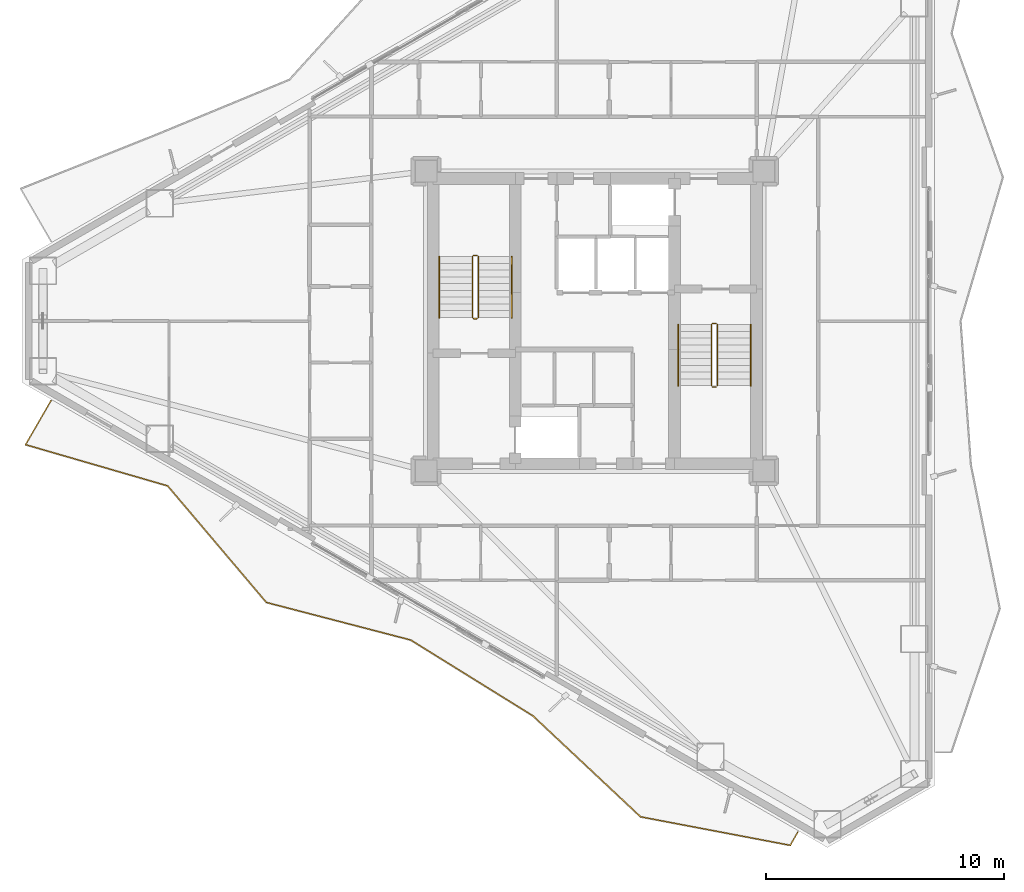
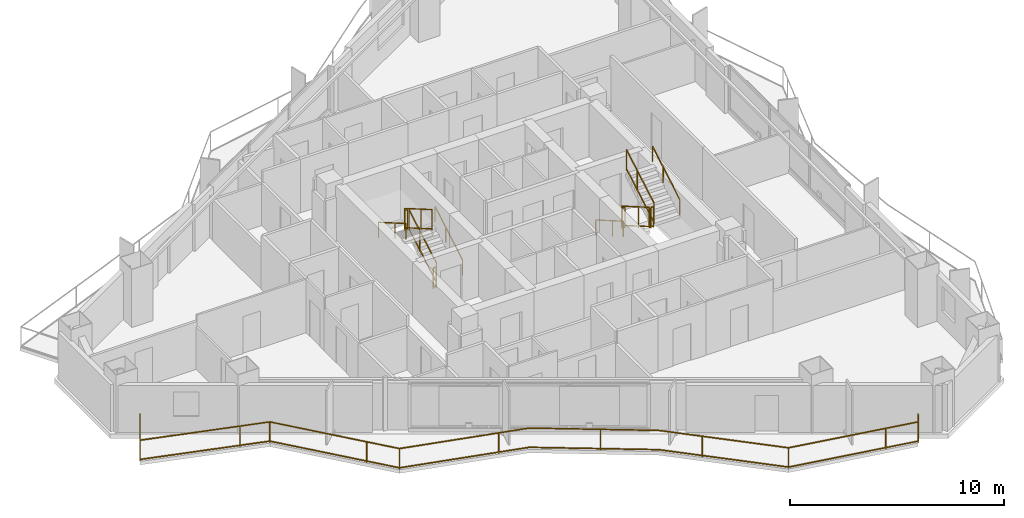
# One storey, part 22 of 23: 13 railings.
"""IFC4 building model written with IfcOpenShell, lengths in metres."""

from ifc_helpers import new_model, si_unit, direction, frame, origin, origin_2d, place, context, subcontext, project, spatial, rectangle, extrude, material, type_object, element, save


model = new_model("IFC4")

# Units and contexts
model_context = context("Model", 3, precision=1e-05, world=origin(), true_north=direction((0.0, 1.0)))
body_context = subcontext(model_context, "Body", "Model", "MODEL_VIEW")
ifc_project = project(units=[si_unit("LENGTHUNIT", "METRE"), si_unit("AREAUNIT", "SQUARE_METRE"), si_unit("VOLUMEUNIT", "CUBIC_METRE"), si_unit("PLANEANGLEUNIT", "RADIAN"), si_unit("MASSUNIT", "GRAM", prefix="KILO")], contexts=[model_context])

# Site, building, storey
site_placement = place(None, origin())
site = spatial("IfcSite", under=ifc_project, at=site_placement, CompositionType="ELEMENT")
building_placement = place(site_placement, origin())
building = spatial("IfcBuilding", under=site, at=building_placement, Name="Mersakhor Tower and Convention Hall", CompositionType="ELEMENT")
storey_placement = place(building_placement, frame((0.0, 0.0, 93.300048828125)))
storey = spatial("IfcBuildingStorey", under=building, at=storey_placement, Name="L25", CompositionType="ELEMENT", Elevation=93.300048828125)

# Railings
ifc_material_1 = material(Name="Powder-coated galvanised steel and laminated glass balustrade", Category="steel")
railing_type_1 = type_object("IfcRailingType", Name="RL-BAL-1200", PredefinedType="BALUSTRADE", material=ifc_material_1)
railing_1_placement = place(storey_placement, frame((6.1240234375, 23.4052734375, 0.0)))
element("IfcRailing", 1, at=railing_1_placement, inside=storey, type_object=railing_type_1, Name="L25 Sinusoidal Balcony Balustrade F3", PredefinedType="BALUSTRADE", context=body_context, shape_type="SweptSolid", body=[
    extrude(rectangle(XDim=0.048095703125, YDim=0.048095703125, at=origin_2d()), frame((0.0, 0.0, 1.17578125), z_axis=(-0.499933284817, -0.866063918387, 0.0), x_axis=(0.866063918387, -0.499933284817, 0.0)), (0.0, 0.0, 1.0), 2.138427734375),
    extrude(rectangle(XDim=0.048095703125, YDim=0.048095703125, at=origin_2d()), frame((0.0, 0.0, 0.080078125), z_axis=(-0.499933284817, -0.866063918387, 0.0), x_axis=(0.866063918387, -0.499933284817, 0.0)), (0.0, 0.0, 1.0), 2.138427734375),
    extrude(rectangle(XDim=0.048095703125, YDim=0.048095703125, at=origin_2d()), frame((-1.069091796875, -1.85205078125, 1.17578125), z_axis=(0.960437948423, -0.278494070365, 0.0), x_axis=(0.278494070365, 0.960437948423, 0.0)), (0.0, 0.0, 1.0), 6.226806640625),
    extrude(rectangle(XDim=0.048095703125, YDim=0.048095703125, at=origin_2d()), frame((-1.069091796875, -1.85205078125, 0.080078125), z_axis=(0.960437948423, -0.278494070365, 0.0), x_axis=(0.278494070365, 0.960437948423, 0.0)), (0.0, 0.0, 1.0), 6.226806640625),
    extrude(rectangle(XDim=0.048095703125, YDim=0.048095703125, at=origin_2d()), frame((4.911376953125, -3.586181640625, 1.17578125), z_axis=(0.646213090612, -0.763157022848, 0.0), x_axis=(0.763157022848, 0.646213090612, 0.0)), (0.0, 0.0, 1.0), 6.423828125),
    extrude(rectangle(XDim=0.048095703125, YDim=0.048095703125, at=origin_2d()), frame((4.911376953125, -3.586181640625, 0.080078125), z_axis=(0.646213090612, -0.763157022848, 0.0), x_axis=(0.763157022848, 0.646213090612, 0.0)), (0.0, 0.0, 1.0), 6.423828125),
    extrude(rectangle(XDim=0.048095703125, YDim=0.048095703125, at=origin_2d()), frame((9.0625, -8.488525390625, 1.17578125), z_axis=(0.96777376013, -0.251821264401, 0.0), x_axis=(0.251821264401, 0.96777376013, 0.0)), (0.0, 0.0, 1.0), 6.271728515625),
    extrude(rectangle(XDim=0.048095703125, YDim=0.048095703125, at=origin_2d()), frame((9.0625, -8.488525390625, 0.080078125), z_axis=(0.96777376013, -0.251821264401, 0.0), x_axis=(0.251821264401, 0.96777376013, 0.0)), (0.0, 0.0, 1.0), 6.271728515625),
    extrude(rectangle(XDim=0.048095703125, YDim=0.048095703125, at=origin_2d()), frame((15.132080078125, -10.06787109375, 1.17578125), z_axis=(0.849741790713, -0.527199098175, 0.0), x_axis=(0.527199098175, 0.849741790713, 0.0)), (0.0, 0.0, 1.0), 6.04931640625),
    extrude(rectangle(XDim=0.048095703125, YDim=0.048095703125, at=origin_2d()), frame((15.132080078125, -10.06787109375, 0.080078125), z_axis=(0.849741790713, -0.527199098175, 0.0), x_axis=(0.527199098175, 0.849741790713, 0.0)), (0.0, 0.0, 1.0), 6.04931640625),
    extrude(rectangle(XDim=0.048095703125, YDim=0.048095703125, at=origin_2d()), frame((20.2724609375, -13.257080078125, 1.17578125), z_axis=(0.729409676745, -0.684077132691, 0.0), x_axis=(0.684077132691, 0.729409676745, 0.0)), (0.0, 0.0, 1.0), 6.20947265625),
    extrude(rectangle(XDim=0.048095703125, YDim=0.048095703125, at=origin_2d()), frame((20.2724609375, -13.257080078125, 0.080078125), z_axis=(0.729409676745, -0.684077132691, 0.0), x_axis=(0.684077132691, 0.729409676745, 0.0)), (0.0, 0.0, 1.0), 6.20947265625),
    extrude(rectangle(XDim=0.048095703125, YDim=0.048095703125, at=origin_2d()), frame((24.8017578125, -17.5048828125, 1.17578125), z_axis=(0.982379256421, -0.186898358883, 0.0), x_axis=(0.186898358883, 0.982379256421, 0.0)), (0.0, 0.0, 1.0), 6.4033203125),
    extrude(rectangle(XDim=0.048095703125, YDim=0.048095703125, at=origin_2d()), frame((24.8017578125, -17.5048828125, 0.080078125), z_axis=(0.982379256421, -0.186898358883, 0.0), x_axis=(0.186898358883, 0.982379256421, 0.0)), (0.0, 0.0, 1.0), 6.4033203125),
    extrude(rectangle(XDim=0.048095703125, YDim=0.048095703125, at=origin_2d()), frame((31.09228515625, -18.70166015625, 1.17578125), z_axis=(0.49989585183, 0.866085525409, 0.0), x_axis=(-0.866085525409, 0.49989585183, 0.0)), (0.0, 0.0, 1.0), 0.650146484375),
    extrude(rectangle(XDim=0.048095703125, YDim=0.048095703125, at=origin_2d()), frame((31.09228515625, -18.70166015625, 0.080078125), z_axis=(0.49989585183, 0.866085525409, 0.0), x_axis=(-0.866085525409, 0.49989585183, 0.0)), (0.0, 0.0, 1.0), 0.650146484375),
    extrude(rectangle(XDim=0.0419921875, YDim=0.0419921875, at=origin_2d()), origin(), (0.0, 0.0, 1.0), 1.15185546875),
    extrude(rectangle(XDim=0.0419921875, YDim=0.0419921875, at=origin_2d()), frame((-1.069091796875, -1.85205078125, 0.0)), (0.0, 0.0, 1.0), 1.15185546875),
    extrude(rectangle(XDim=0.0419921875, YDim=0.0419921875, at=origin_2d()), frame((3.541015625, -3.188720703125, 0.0)), (0.0, 0.0, 1.0), 1.15185546875),
    extrude(rectangle(XDim=0.0419921875, YDim=0.0419921875, at=origin_2d()), frame((4.911376953125, -3.586181640625, 0.0)), (0.0, 0.0, 1.0), 1.15185546875),
    extrude(rectangle(XDim=0.0419921875, YDim=0.0419921875, at=origin_2d()), frame((8.01318359375, -7.249267578125, 0.0)), (0.0, 0.0, 1.0), 1.15185546875),
    extrude(rectangle(XDim=0.0419921875, YDim=0.0419921875, at=origin_2d()), frame((9.0625, -8.488525390625, 0.0)), (0.0, 0.0, 1.0), 1.15185546875),
    extrude(rectangle(XDim=0.0419921875, YDim=0.0419921875, at=origin_2d()), frame((13.707763671875, -9.697265625, 0.0)), (0.0, 0.0, 1.0), 1.15185546875),
    extrude(rectangle(XDim=0.0419921875, YDim=0.0419921875, at=origin_2d()), frame((17.960205078125, -11.822509765625, 0.0)), (0.0, 0.0, 1.0), 1.15185546875),
    extrude(rectangle(XDim=0.0419921875, YDim=0.0419921875, at=origin_2d()), frame((21.788818359375, -14.67919921875, 0.0)), (0.0, 0.0, 1.0), 1.15185546875),
    extrude(rectangle(XDim=0.0419921875, YDim=0.0419921875, at=origin_2d()), frame((24.8017578125, -17.5048828125, 0.0)), (0.0, 0.0, 1.0), 1.15185546875),
    extrude(rectangle(XDim=0.0419921875, YDim=0.0419921875, at=origin_2d()), frame((29.51708984375, -18.402099609375, 0.0)), (0.0, 0.0, 1.0), 1.15185546875),
    extrude(rectangle(XDim=0.0419921875, YDim=0.0419921875, at=origin_2d()), frame((31.09228515625, -18.70166015625, 0.0)), (0.0, 0.0, 1.0), 1.15185546875),
    extrude(rectangle(XDim=0.0419921875, YDim=0.0419921875, at=origin_2d()), frame((31.417236328125, -18.138671875, 0.0)), (0.0, 0.0, 1.0), 1.15185546875),
])
ifc_material_2 = material(Name="Brushed stainless steel handrail", Category="steel")
railing_type_2 = type_object("IfcRailingType", Name="RL-HR-900", PredefinedType="HANDRAIL", material=ifc_material_2)
railing_2_placement = place(storey_placement, frame((25.5, 26.89990234375, 0.1650390625)))
element("IfcRailing", 2, at=railing_2_placement, inside=storey, type_object=railing_type_2, Name="L25 ST-1 stair handrail 1", PredefinedType="HANDRAIL", context=body_context, shape_type="SweptSolid", body=[
    extrude(rectangle(XDim=0.048095703125, YDim=0.048095703125, at=origin_2d()), frame((0.0, 0.0, 0.8759765625), z_axis=(0.0, 0.865461999751, 0.500974577186), x_axis=(-1.0, 0.0, 0.0)), (0.0, 0.0, 1.0), 2.9638671875),
    extrude(rectangle(XDim=0.0419921875, YDim=0.0419921875, at=origin_2d()), origin(), (0.0, 0.0, 1.0), 0.851806640625),
    extrude(rectangle(XDim=0.0419921875, YDim=0.0419921875, at=origin_2d()), frame((0.0, 1.557861328125, 0.90185546875)), (0.0, 0.0, 1.0), 0.851806640625),
    extrude(rectangle(XDim=0.0419921875, YDim=0.0419921875, at=origin_2d()), frame((0.0, 2.565185546875, 1.48486328125)), (0.0, 0.0, 1.0), 0.851806640625),
])
railing_3_placement = place(storey_placement, frame((22.449951171875, 29.465087890625, 1.81494140625)))
element("IfcRailing", 3, at=railing_3_placement, inside=storey, type_object=railing_type_2, Name="L25 ST-1 stair handrail 2", PredefinedType="HANDRAIL", context=body_context, shape_type="SweptSolid", body=[
    extrude(rectangle(XDim=0.048095703125, YDim=0.048095703125, at=origin_2d()), frame((0.0, 0.0, 0.8759765625), z_axis=(0.0, -0.865426285481, 0.501036270542), x_axis=(1.0, 0.0, 0.0)), (0.0, 0.0, 1.0), 2.964111328125),
    extrude(rectangle(XDim=0.0419921875, YDim=0.0419921875, at=origin_2d()), origin(), (0.0, 0.0, 1.0), 0.851806640625),
    extrude(rectangle(XDim=0.0419921875, YDim=0.0419921875, at=origin_2d()), frame((0.0, -1.557861328125, 0.90185546875)), (0.0, 0.0, 1.0), 0.851806640625),
    extrude(rectangle(XDim=0.0419921875, YDim=0.0419921875, at=origin_2d()), frame((0.0, -2.565185546875, 1.485107421875)), (0.0, 0.0, 1.0), 0.851806640625),
])
railing_4_placement = place(storey_placement, frame((32.5, 26.60009765625, 0.1650390625)))
element("IfcRailing", 4, at=railing_4_placement, inside=storey, type_object=railing_type_2, Name="L25 ST-2 stair handrail 1", PredefinedType="HANDRAIL", context=body_context, shape_type="SweptSolid", body=[
    extrude(rectangle(XDim=0.048095703125, YDim=0.048095703125, at=origin_2d()), frame((0.0, 0.0, 0.8759765625), z_axis=(0.0, -0.865461999751, 0.500974577186), x_axis=(1.0, 0.0, 0.0)), (0.0, 0.0, 1.0), 2.9638671875),
    extrude(rectangle(XDim=0.0419921875, YDim=0.0419921875, at=origin_2d()), origin(), (0.0, 0.0, 1.0), 0.851806640625),
    extrude(rectangle(XDim=0.0419921875, YDim=0.0419921875, at=origin_2d()), frame((0.0, -1.557861328125, 0.90185546875)), (0.0, 0.0, 1.0), 0.851806640625),
    extrude(rectangle(XDim=0.0419921875, YDim=0.0419921875, at=origin_2d()), frame((0.0, -2.565185546875, 1.48486328125)), (0.0, 0.0, 1.0), 0.851806640625),
])
railing_5_placement = place(storey_placement, frame((35.550048828125, 24.034912109375, 1.81494140625)))
element("IfcRailing", 5, at=railing_5_placement, inside=storey, type_object=railing_type_2, Name="L25 ST-2 stair handrail 2", PredefinedType="HANDRAIL", context=body_context, shape_type="SweptSolid", body=[
    extrude(rectangle(XDim=0.048095703125, YDim=0.048095703125, at=origin_2d()), frame((0.0, 0.0, 0.8759765625), z_axis=(0.0, 0.865426285481, 0.501036270542), x_axis=(-1.0, 0.0, 0.0)), (0.0, 0.0, 1.0), 2.964111328125),
    extrude(rectangle(XDim=0.0419921875, YDim=0.0419921875, at=origin_2d()), origin(), (0.0, 0.0, 1.0), 0.851806640625),
    extrude(rectangle(XDim=0.0419921875, YDim=0.0419921875, at=origin_2d()), frame((0.0, 1.557861328125, 0.90185546875)), (0.0, 0.0, 1.0), 0.851806640625),
    extrude(rectangle(XDim=0.0419921875, YDim=0.0419921875, at=origin_2d()), frame((0.0, 2.565185546875, 1.485107421875)), (0.0, 0.0, 1.0), 0.851806640625),
])
ifc_material_3 = material(Name="Painted steel stair balustrade S355", Category="steel")
railing_type_3 = type_object("IfcRailingType", Name="RL-STG-1200", PredefinedType="BALUSTRADE", material=ifc_material_3)
railing_6_placement = place(storey_placement, frame((24.10009765625, 26.89990234375, 0.1650390625)))
element("IfcRailing", 6, at=railing_6_placement, inside=storey, type_object=railing_type_3, Name="L25 ST-1 stair guard 1", PredefinedType="BALUSTRADE", context=body_context, shape_type="SweptSolid", body=[
    extrude(rectangle(XDim=0.048095703125, YDim=0.048095703125, at=origin_2d()), frame((0.0, 0.0, 1.17578125), z_axis=(0.0, 0.865461999751, 0.500974577186), x_axis=(-1.0, 0.0, 0.0)), (0.0, 0.0, 1.0), 2.9638671875),
    extrude(rectangle(XDim=0.048095703125, YDim=0.048095703125, at=origin_2d()), frame((0.0, 0.0, 0.080078125), z_axis=(0.0, 0.865461999751, 0.500974577186), x_axis=(-1.0, 0.0, 0.0)), (0.0, 0.0, 1.0), 2.9638671875),
    extrude(rectangle(XDim=0.0419921875, YDim=0.0419921875, at=origin_2d()), origin(), (0.0, 0.0, 1.0), 1.15185546875),
    extrude(rectangle(XDim=0.0419921875, YDim=0.0419921875, at=origin_2d()), frame((0.0, 1.557861328125, 0.90185546875)), (0.0, 0.0, 1.0), 1.15185546875),
    extrude(rectangle(XDim=0.0419921875, YDim=0.0419921875, at=origin_2d()), frame((0.0, 2.565185546875, 1.48486328125)), (0.0, 0.0, 1.0), 1.15185546875),
])
railing_7_placement = place(storey_placement, frame((24.050048828125, 29.514892578125, 1.64990234375)))
element("IfcRailing", 7, at=railing_7_placement, inside=storey, type_object=railing_type_3, Name="L25 ST-1 stair guard 2", PredefinedType="BALUSTRADE", context=body_context, shape_type="SweptSolid", body=[
    extrude(rectangle(XDim=0.048095703125, YDim=0.048095703125, at=origin_2d()), frame((0.0, 0.0, 1.17578125), z_axis=(-1.0, 0.0, 0.0), x_axis=(0.0, -1.0, 0.0)), (0.0, 0.0, 1.0), 0.150146484375),
    extrude(rectangle(XDim=0.048095703125, YDim=0.048095703125, at=origin_2d()), frame((0.0, 0.0, 0.080078125), z_axis=(-1.0, 0.0, 0.0), x_axis=(0.0, -1.0, 0.0)), (0.0, 0.0, 1.0), 0.150146484375),
    extrude(rectangle(XDim=0.0419921875, YDim=0.0419921875, at=origin_2d()), origin(), (0.0, 0.0, 1.0), 1.15185546875),
    extrude(rectangle(XDim=0.0419921875, YDim=0.0419921875, at=origin_2d()), frame((-0.150146484375, 0.0, 0.0)), (0.0, 0.0, 1.0), 1.15185546875),
])
railing_8_placement = place(storey_placement, frame((23.85009765625, 29.465087890625, 1.81494140625)))
element("IfcRailing", 8, at=railing_8_placement, inside=storey, type_object=railing_type_3, Name="L25 ST-1 stair guard 3", PredefinedType="BALUSTRADE", context=body_context, shape_type="SweptSolid", body=[
    extrude(rectangle(XDim=0.048095703125, YDim=0.048095703125, at=origin_2d()), frame((0.0, 0.0, 1.17578125), z_axis=(0.0, -0.865426285481, 0.501036270542), x_axis=(1.0, 0.0, 0.0)), (0.0, 0.0, 1.0), 2.964111328125),
    extrude(rectangle(XDim=0.048095703125, YDim=0.048095703125, at=origin_2d()), frame((0.0, 0.0, 0.080078125), z_axis=(0.0, -0.865426285481, 0.501036270542), x_axis=(1.0, 0.0, 0.0)), (0.0, 0.0, 1.0), 2.964111328125),
    extrude(rectangle(XDim=0.0419921875, YDim=0.0419921875, at=origin_2d()), origin(), (0.0, 0.0, 1.0), 1.15185546875),
    extrude(rectangle(XDim=0.0419921875, YDim=0.0419921875, at=origin_2d()), frame((0.0, -1.557861328125, 0.90185546875)), (0.0, 0.0, 1.0), 1.15185546875),
    extrude(rectangle(XDim=0.0419921875, YDim=0.0419921875, at=origin_2d()), frame((0.0, -2.565185546875, 1.485107421875)), (0.0, 0.0, 1.0), 1.15185546875),
])
railing_9_placement = place(storey_placement, frame((24.050048828125, 26.85009765625, 0.0)))
element("IfcRailing", 9, at=railing_9_placement, inside=storey, type_object=railing_type_3, Name="L25 ST-1 stair guard 4", PredefinedType="BALUSTRADE", context=body_context, shape_type="SweptSolid", body=[
    extrude(rectangle(XDim=0.048095703125, YDim=0.048095703125, at=origin_2d()), frame((0.0, 0.0, 1.17578125), z_axis=(-1.0, 0.0, 0.0), x_axis=(0.0, -1.0, 0.0)), (0.0, 0.0, 1.0), 0.150146484375),
    extrude(rectangle(XDim=0.048095703125, YDim=0.048095703125, at=origin_2d()), frame((0.0, 0.0, 0.080078125), z_axis=(-1.0, 0.0, 0.0), x_axis=(0.0, -1.0, 0.0)), (0.0, 0.0, 1.0), 0.150146484375),
    extrude(rectangle(XDim=0.0419921875, YDim=0.0419921875, at=origin_2d()), origin(), (0.0, 0.0, 1.0), 1.15185546875),
    extrude(rectangle(XDim=0.0419921875, YDim=0.0419921875, at=origin_2d()), frame((-0.150146484375, 0.0, 0.0)), (0.0, 0.0, 1.0), 1.15185546875),
])
railing_10_placement = place(storey_placement, frame((33.89990234375, 26.60009765625, 0.1650390625)))
element("IfcRailing", 10, at=railing_10_placement, inside=storey, type_object=railing_type_3, Name="L25 ST-2 stair guard 1", PredefinedType="BALUSTRADE", context=body_context, shape_type="SweptSolid", body=[
    extrude(rectangle(XDim=0.048095703125, YDim=0.048095703125, at=origin_2d()), frame((0.0, 0.0, 1.17578125), z_axis=(0.0, -0.865461999751, 0.500974577186), x_axis=(1.0, 0.0, 0.0)), (0.0, 0.0, 1.0), 2.9638671875),
    extrude(rectangle(XDim=0.048095703125, YDim=0.048095703125, at=origin_2d()), frame((0.0, 0.0, 0.080078125), z_axis=(0.0, -0.865461999751, 0.500974577186), x_axis=(1.0, 0.0, 0.0)), (0.0, 0.0, 1.0), 2.9638671875),
    extrude(rectangle(XDim=0.0419921875, YDim=0.0419921875, at=origin_2d()), origin(), (0.0, 0.0, 1.0), 1.15185546875),
    extrude(rectangle(XDim=0.0419921875, YDim=0.0419921875, at=origin_2d()), frame((0.0, -1.557861328125, 0.90185546875)), (0.0, 0.0, 1.0), 1.15185546875),
    extrude(rectangle(XDim=0.0419921875, YDim=0.0419921875, at=origin_2d()), frame((0.0, -2.565185546875, 1.48486328125)), (0.0, 0.0, 1.0), 1.15185546875),
])
railing_11_placement = place(storey_placement, frame((33.949951171875, 23.985107421875, 1.64990234375)))
element("IfcRailing", 11, at=railing_11_placement, inside=storey, type_object=railing_type_3, Name="L25 ST-2 stair guard 2", PredefinedType="BALUSTRADE", context=body_context, shape_type="SweptSolid", body=[
    extrude(rectangle(XDim=0.048095703125, YDim=0.048095703125, at=origin_2d()), frame((0.0, 0.0, 1.17578125), z_axis=(1.0, 0.0, 0.0), x_axis=(0.0, 1.0, 0.0)), (0.0, 0.0, 1.0), 0.150146484375),
    extrude(rectangle(XDim=0.048095703125, YDim=0.048095703125, at=origin_2d()), frame((0.0, 0.0, 0.080078125), z_axis=(1.0, 0.0, 0.0), x_axis=(0.0, 1.0, 0.0)), (0.0, 0.0, 1.0), 0.150146484375),
    extrude(rectangle(XDim=0.0419921875, YDim=0.0419921875, at=origin_2d()), origin(), (0.0, 0.0, 1.0), 1.15185546875),
    extrude(rectangle(XDim=0.0419921875, YDim=0.0419921875, at=origin_2d()), frame((0.150146484375, 0.0, 0.0)), (0.0, 0.0, 1.0), 1.15185546875),
])
railing_12_placement = place(storey_placement, frame((34.14990234375, 24.034912109375, 1.81494140625)))
element("IfcRailing", 12, at=railing_12_placement, inside=storey, type_object=railing_type_3, Name="L25 ST-2 stair guard 3", PredefinedType="BALUSTRADE", context=body_context, shape_type="SweptSolid", body=[
    extrude(rectangle(XDim=0.048095703125, YDim=0.048095703125, at=origin_2d()), frame((0.0, 0.0, 1.17578125), z_axis=(0.0, 0.865426285481, 0.501036270542), x_axis=(-1.0, 0.0, 0.0)), (0.0, 0.0, 1.0), 2.964111328125),
    extrude(rectangle(XDim=0.048095703125, YDim=0.048095703125, at=origin_2d()), frame((0.0, 0.0, 0.080078125), z_axis=(0.0, 0.865426285481, 0.501036270542), x_axis=(-1.0, 0.0, 0.0)), (0.0, 0.0, 1.0), 2.964111328125),
    extrude(rectangle(XDim=0.0419921875, YDim=0.0419921875, at=origin_2d()), origin(), (0.0, 0.0, 1.0), 1.15185546875),
    extrude(rectangle(XDim=0.0419921875, YDim=0.0419921875, at=origin_2d()), frame((0.0, 1.557861328125, 0.90185546875)), (0.0, 0.0, 1.0), 1.15185546875),
    extrude(rectangle(XDim=0.0419921875, YDim=0.0419921875, at=origin_2d()), frame((0.0, 2.565185546875, 1.485107421875)), (0.0, 0.0, 1.0), 1.15185546875),
])
railing_13_placement = place(storey_placement, frame((33.949951171875, 26.64990234375, 0.0)))
element("IfcRailing", 13, at=railing_13_placement, inside=storey, type_object=railing_type_3, Name="L25 ST-2 stair guard 4", PredefinedType="BALUSTRADE", context=body_context, shape_type="SweptSolid", body=[
    extrude(rectangle(XDim=0.048095703125, YDim=0.048095703125, at=origin_2d()), frame((0.0, 0.0, 1.17578125), z_axis=(1.0, 0.0, 0.0), x_axis=(0.0, 1.0, 0.0)), (0.0, 0.0, 1.0), 0.150146484375),
    extrude(rectangle(XDim=0.048095703125, YDim=0.048095703125, at=origin_2d()), frame((0.0, 0.0, 0.080078125), z_axis=(1.0, 0.0, 0.0), x_axis=(0.0, 1.0, 0.0)), (0.0, 0.0, 1.0), 0.150146484375),
    extrude(rectangle(XDim=0.0419921875, YDim=0.0419921875, at=origin_2d()), origin(), (0.0, 0.0, 1.0), 1.15185546875),
    extrude(rectangle(XDim=0.0419921875, YDim=0.0419921875, at=origin_2d()), frame((0.150146484375, 0.0, 0.0)), (0.0, 0.0, 1.0), 1.15185546875),
])

save(model, "model.ifc")
